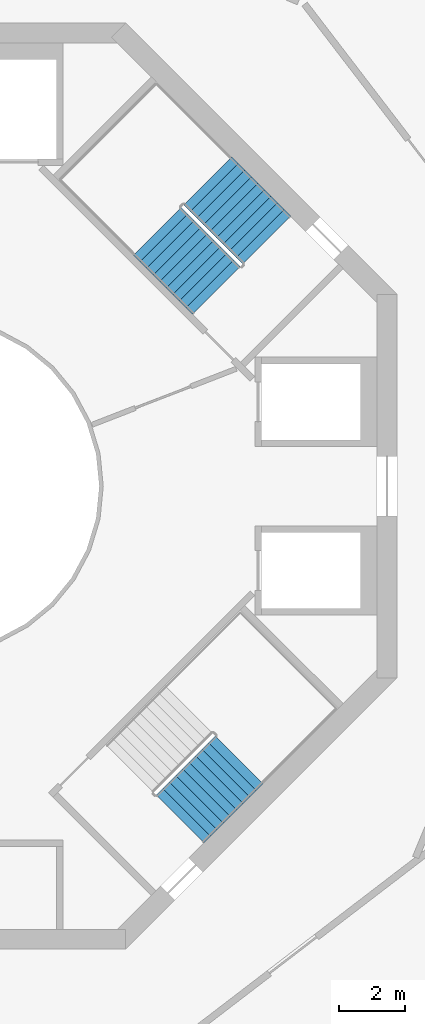
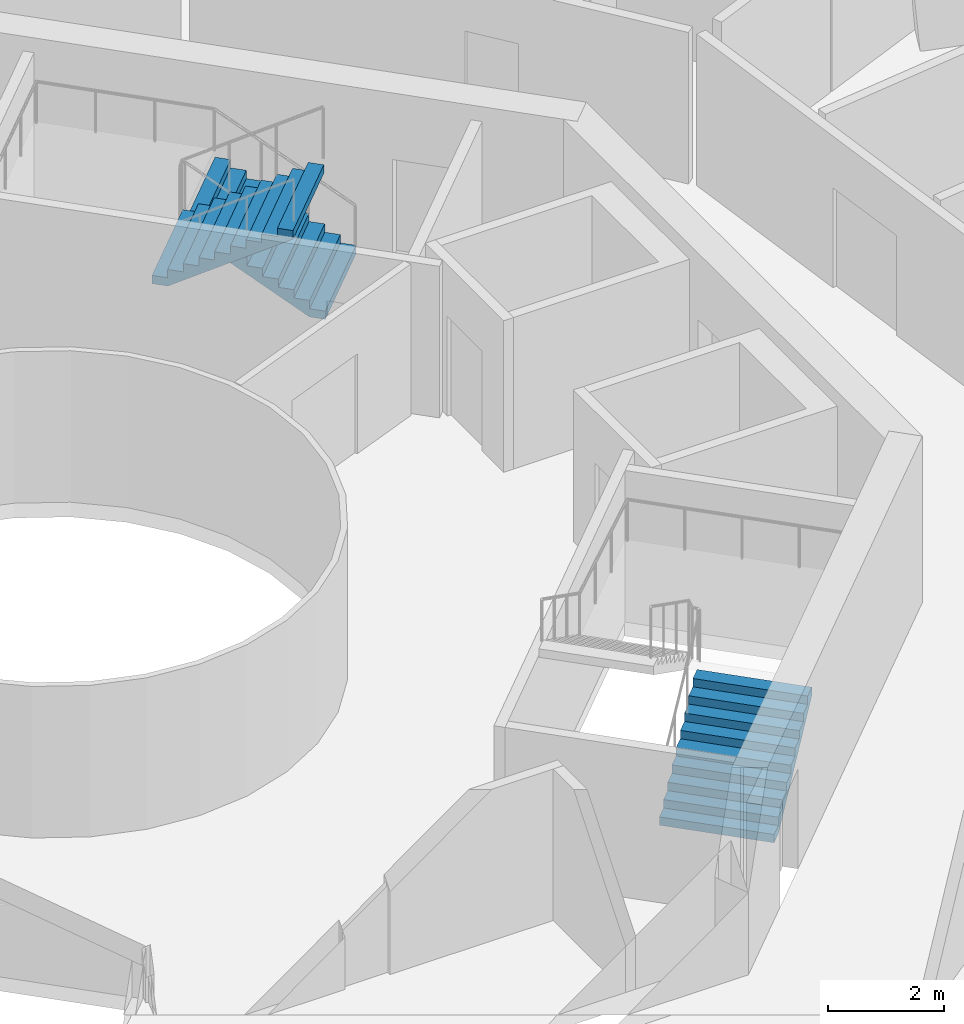
# One storey, part 24 of 25: 3 stair flights, 2 elements without a shape of their own.
"""IFC4 building model written with IfcOpenShell, lengths in metres."""

import ifcopenshell
import ifcopenshell.guid

model = None  # the IFC model being written
_history = None  # IfcOwnerHistory: only IFC2X3 demands one
_inside = {}  # id of a spatial element -> (the spatial element, [elements in it])
_under = {}  # id of a project, library or spatial element -> (it, [spatial elements below it])
_declared = {}  # id of a project -> (the project, [libraries it declares])
_typed = {}  # id of a type object -> (the type object, [elements of that type])
_made_of = {}  # id of a material, layer set ... -> (it, [elements and type objects made of it])


def new_model(schema):
    """Start an empty IFC model of exactly this schema.

    Asked for "IFC4X3", IfcOpenShell would pick the latest addendum, in which some entities
    have other attributes; the version numbers below select the first issue.
    IFC2X3 requires an IfcOwnerHistory on every rooted entity: one is made here for all.
    """
    global model, _history
    if schema == "IFC4X3":
        model = ifcopenshell.file(schema_version=(4, 3, 0, 0))
    else:
        model = ifcopenshell.file(schema=schema)
    _inside.clear()
    _under.clear()
    _declared.clear()
    _typed.clear()
    _made_of.clear()
    _history = None
    if model.schema == "IFC2X3":
        org = make("IfcOrganization", Name="unknown")
        user = make(
            "IfcPersonAndOrganization",
            ThePerson=make("IfcPerson", FamilyName="unknown"),
            TheOrganization=org,
        )
        app = make(
            "IfcApplication",
            ApplicationDeveloper=org,
            Version="unknown",
            ApplicationFullName="unknown",
            ApplicationIdentifier="unknown",
        )
        _history = make(
            "IfcOwnerHistory",
            OwningUser=user,
            OwningApplication=app,
            ChangeAction="ADDED",
            CreationDate=0,
        )
    return model


def make(cls, **values):
    """One entity of the class cls with the attributes given. An attribute that is None is left unset."""
    return model.create_entity(
        cls, **{name: value for name, value in values.items() if value is not None}
    )


def rooted(cls, **values):
    """An entity with a GlobalId (a new one), such as an element, a storey or a relation."""
    return make(cls, GlobalId=ifcopenshell.guid.new(), OwnerHistory=_history, **values)


def si_unit(unit_type, name, prefix=None):
    """IfcSIUnit, for example si_unit("LENGTHUNIT", "METRE", prefix="MILLI")."""
    return make("IfcSIUnit", UnitType=unit_type, Prefix=prefix, Name=name)


def assignment(units):
    """IfcUnitAssignment: the units of a project."""
    return None if units is None else make("IfcUnitAssignment", Units=units)


def point(xyz):
    """IfcCartesianPoint."""
    return None if xyz is None else make("IfcCartesianPoint", Coordinates=xyz)


def direction(xyz):
    """IfcDirection."""
    return None if xyz is None else make("IfcDirection", DirectionRatios=xyz)


def frame(location, z_axis=None, x_axis=None):
    """IfcAxis2Placement3D, a coordinate frame: its origin and axes. An axis left out is left unset."""
    return make(
        "IfcAxis2Placement3D",
        Location=point(location),
        Axis=direction(z_axis),
        RefDirection=direction(x_axis),
    )


def origin():
    """The frame at (0, 0, 0) with its axes left unset."""
    return frame((0.0, 0.0, 0.0))


def place(relative_to, where):
    """IfcLocalPlacement: puts the frame where relative to a parent placement (None: the world)."""
    return make(
        "IfcLocalPlacement", PlacementRelTo=relative_to, RelativePlacement=where
    )


def context(
    kind, dimensions, precision=None, world=None, true_north=None, identifier=None
):
    """IfcGeometricRepresentationContext, for example the 3D "Model" context."""
    return make(
        "IfcGeometricRepresentationContext",
        ContextIdentifier=identifier,
        ContextType=kind,
        CoordinateSpaceDimension=dimensions,
        Precision=precision,
        WorldCoordinateSystem=world,
        TrueNorth=true_north,
    )


def subcontext(parent, identifier, kind, view, scale=None):
    """IfcGeometricRepresentationSubContext, for example "Body" below "Model"."""
    return make(
        "IfcGeometricRepresentationSubContext",
        ContextIdentifier=identifier,
        ContextType=kind,
        ParentContext=parent,
        TargetScale=scale,
        TargetView=view,
    )


def project(units=None, contexts=None):
    """IfcProject with its units and contexts."""
    return rooted(
        "IfcProject",
        Name="project",
        RepresentationContexts=contexts,
        UnitsInContext=assignment(units),
    )


def spatial(cls, under=None, at=None, **own):
    """A site, building, storey or space (cls), placed at a placement, below another one or the project."""
    s = rooted(cls, ObjectPlacement=at, **own)
    if under is not None:
        _under.setdefault(under.id(), (under, []))[1].append(s)
    return s


def point_list(points):
    """IfcCartesianPointList2D or 3D."""
    cls = (
        "IfcCartesianPointList2D" if len(points[0]) == 2 else "IfcCartesianPointList3D"
    )
    return make(cls, CoordList=points)


def triangles(points, corners, closed=None, point_numbers=None):
    """IfcTriangulatedFaceSet: each triangle names its three corners, points numbered from 1."""
    return make(
        "IfcTriangulatedFaceSet",
        Coordinates=point_list(points),
        Closed=closed,
        CoordIndex=corners,
        PnIndex=point_numbers,
    )


def shape(context_of_items, identifier, shape_type, items):
    """IfcShapeRepresentation: the items that make up one representation, for example the "Body"."""
    return make(
        "IfcShapeRepresentation",
        ContextOfItems=context_of_items,
        RepresentationIdentifier=identifier,
        RepresentationType=shape_type,
        Items=items,
    )


def material(Name=None, Category=None):
    """IfcMaterial."""
    return make("IfcMaterial", Name=Name, Category=Category)


def made_of(thing, what):
    """Note that an element or type object is made of a material, layer set ...; save() writes the relation."""
    if what is not None:
        _made_of.setdefault(what.id(), (what, []))[1].append(thing)
    return thing


def type_object(cls, material=None, **own):
    """A type object (cls), such as IfcWallType, which elements share."""
    return made_of(rooted(cls, **own), material)


def element(
    cls,
    number,
    at=None,
    inside=None,
    cuts=None,
    type_object=None,
    material=None,
    context=None,
    identifier="Body",
    shape_type=None,
    held_by="IfcProductDefinitionShape",
    body=None,
    shapes=None,
    **own,
):
    """One element of the class cls, such as IfcWall. Its Tag is "e" and its number.

    at: its placement. inside: the storey or other place that contains it. cuts: it is an
    opening in that element (IfcRelVoidsElement). A single representation is given by context,
    identifier, shape_type and body (its items); several are given by shapes. held_by: the class
    of the entity that holds the representations. save() writes the other relations.
    """
    e = rooted(cls, Tag="e%d" % number, ObjectPlacement=at, **own)
    if body is not None:
        shapes = [shape(context, identifier, shape_type, body)]
    if shapes is not None:
        e.Representation = make(held_by, Representations=shapes)
    if inside is not None:
        _inside.setdefault(inside.id(), (inside, []))[1].append(e)
    if cuts is not None:
        rooted(
            "IfcRelVoidsElement", RelatingBuildingElement=cuts, RelatedOpeningElement=e
        )
    if type_object is not None:
        _typed.setdefault(type_object.id(), (type_object, []))[1].append(e)
    return made_of(e, material)


def aggregate(whole, parts):
    """IfcRelAggregates: a whole, such as a stair, and the parts it consists of."""
    return rooted("IfcRelAggregates", RelatingObject=whole, RelatedObjects=parts)


def save(model, path):
    """Write the relations noted so far, then the file.

    IfcRelAggregates (storeys below a building ...), IfcRelContainedInSpatialStructure (elements
    in a storey), IfcRelDefinesByType, IfcRelAssociatesMaterial and IfcRelDeclares: one each for
    every whole, place, type object, material and project.
    """
    for whole, parts in _under.values():
        aggregate(whole, parts)
    for where, things in _inside.values():
        rooted(
            "IfcRelContainedInSpatialStructure",
            RelatedElements=things,
            RelatingStructure=where,
        )
    for kind, things in _typed.values():
        rooted("IfcRelDefinesByType", RelatedObjects=things, RelatingType=kind)
    for what, things in _made_of.values():
        rooted("IfcRelAssociatesMaterial", RelatedObjects=things, RelatingMaterial=what)
    for by, libraries in _declared.values():
        rooted("IfcRelDeclares", RelatingContext=by, RelatedDefinitions=libraries)
    model.write(path)


model = new_model("IFC4")

# Units and contexts
model_context = context("Model", 3, precision=1e-05, world=origin(), true_north=direction((0.0, 1.0)))
body_context = subcontext(model_context, "Body", "Model", "MODEL_VIEW")
ifc_project = project(units=[si_unit("LENGTHUNIT", "METRE"), si_unit("AREAUNIT", "SQUARE_METRE"), si_unit("VOLUMEUNIT", "CUBIC_METRE"), si_unit("PLANEANGLEUNIT", "RADIAN"), si_unit("MASSUNIT", "GRAM", prefix="KILO")], contexts=[model_context])

# Site, building, storey
site_placement = place(None, origin())
site = spatial("IfcSite", under=ifc_project, at=site_placement, CompositionType="ELEMENT")
building_placement = place(site_placement, origin())
building = spatial("IfcBuilding", under=site, at=building_placement, Name="Verdalira Terraces Hotel", CompositionType="ELEMENT")
storey_placement = place(building_placement, frame((0.0, 0.0, 187.0)))
storey = spatial("IfcBuildingStorey", under=building, at=storey_placement, Name="L45", CompositionType="ELEMENT", Elevation=187.0)

# Stair, stair flights
ifc_material_1 = material(Name="Concrete C40", Category="concrete")
stair_type = type_object("IfcStairType", Name="Core stair 20 risers 2050 mm wide", PredefinedType="HALF_TURN_STAIR", material=ifc_material_1)
stair_1_placement = place(storey_placement, origin())
stair_1 = element("IfcStair", 1, at=stair_1_placement, inside=storey, type_object=stair_type, Name="L45 Exit stair ST1", PredefinedType="HALF_TURN_STAIR")
ifc_material_2 = material(Name="Concrete C40", Category="concrete")
stair_flight_type = type_object("IfcStairFlightType", Name="Core stair flight 20 risers 2050 mm wide", PredefinedType="STRAIGHT", material=ifc_material_2)
stair_flight_1_placement = place(storey_placement, frame((10.058594, 7.442383, 0.0), z_axis=(0.0, 0.0, 1.0), x_axis=(-0.707106781, 0.707106781, 0.0)))
stair_flight_1 = element("IfcStairFlight", 2, at=stair_flight_1_placement, type_object=stair_flight_type, Name="ST1 flight 1", NumberOfRisers=10, NumberOfTreads=9, PredefinedType="STRAIGHT", RiserHeight=0.175, TreadLength=0.28, context=body_context, shape_type="Tessellation", body=[
    triangles([(0.0, 1.025024, 0.0), (0.282715, 1.025024, 0.0), (2.52002, 1.025024, 1.398193), (0.0, -1.025024, 0.0), (0.282715, -1.025024, 0.0), (2.52002, -1.025024, 1.398193), (2.52002, 1.025024, 1.574951), (2.23999, 1.025024, 1.574951), (2.52002, -1.025024, 1.574951), (2.23999, -1.025024, 1.574951), (2.23999, 1.025024, 1.399902), (2.23999, -1.025024, 1.399902), (1.959961, 1.025024, 1.399902), (1.959961, -1.025024, 1.399902), (1.959961, 1.025024, 1.225098), (1.959961, -1.025024, 1.225098), (1.679932, 1.025024, 1.225098), (1.679932, 1.025024, 1.050049), (1.679932, -1.025024, 1.225098), (1.679932, -1.025024, 1.050049), (1.399902, 1.025024, 1.050049), (1.399902, 1.025024, 0.875), (1.399902, -1.025024, 1.050049), (1.399902, -1.025024, 0.875), (1.120117, 1.025024, 0.875), (1.120117, 1.025024, 0.699951), (1.120117, -1.025024, 0.875), (1.120117, -1.025024, 0.699951), (0.840088, 1.025024, 0.699951), (0.840088, 1.025024, 0.524902), (0.840088, -1.025024, 0.699951), (0.840088, -1.025024, 0.524902), (0.560059, 1.025024, 0.524902), (0.560059, 1.025024, 0.350098), (0.560059, -1.025024, 0.524902), (0.560059, -1.025024, 0.350098), (0.280029, 1.025024, 0.350098), (0.280029, 1.025024, 0.175049), (0.280029, -1.025024, 0.350098), (0.280029, -1.025024, 0.175049), (0.0, 1.025024, 0.175049), (0.0, -1.025024, 0.175049), (0.0, -0.96096, 0.0), (0.0, -0.96096, 0.175049), (0.0, -0.896896, 0.0), (0.0, -0.896896, 0.175049), (0.0, -0.832832, 0.0), (0.0, -0.832832, 0.175049), (0.0, -0.768768, 0.0), (0.0, -0.768768, 0.175049), (0.0, -0.704704, 0.0), (0.0, -0.704704, 0.175049), (0.0, -0.64064, 0.0), (0.0, -0.64064, 0.175049), (0.0, -0.576576, 0.0), (0.0, -0.576576, 0.175049), (0.0, -0.512512, 0.0), (0.0, -0.512512, 0.175049), (0.0, -0.448448, 0.0), (0.0, -0.448448, 0.175049), (0.0, -0.384384, 0.0), (0.0, -0.384384, 0.175049), (0.0, -0.32032, 0.0), (0.0, -0.32032, 0.175049), (0.0, -0.256256, 0.0), (0.0, -0.256256, 0.175049), (0.0, -0.192192, 0.0), (0.0, -0.192192, 0.175049), (0.0, -0.128128, 0.0), (0.0, -0.128128, 0.175049), (0.0, -0.064064, 0.0), (0.0, -0.064064, 0.175049), (0.0, 0.0, 0.0), (0.0, 0.0, 0.175049), (0.0, 0.064064, 0.0), (0.0, 0.064064, 0.175049), (0.0, 0.128128, 0.0), (0.0, 0.128128, 0.175049), (0.0, 0.192192, 0.0), (0.0, 0.192192, 0.175049), (0.0, 0.256256, 0.0), (0.0, 0.256256, 0.175049), (0.0, 0.32032, 0.0), (0.0, 0.32032, 0.175049), (0.0, 0.384384, 0.0), (0.0, 0.384384, 0.175049), (0.0, 0.448448, 0.0), (0.0, 0.448448, 0.175049), (0.0, 0.512512, 0.0), (0.0, 0.512512, 0.175049), (0.0, 0.576576, 0.0), (0.0, 0.576576, 0.175049), (0.0, 0.64064, 0.0), (0.0, 0.64064, 0.175049), (0.0, 0.704704, 0.0), (0.0, 0.704704, 0.175049), (0.0, 0.768768, 0.0), (0.0, 0.768768, 0.175049), (0.0, 0.832832, 0.0), (0.0, 0.832832, 0.175049), (0.0, 0.896896, 0.0), (0.0, 0.896896, 0.175049), (0.0, 0.96096, 0.0), (0.0, 0.96096, 0.175049), (2.52002, -0.96096, 1.574951), (2.52002, -0.896896, 1.574951), (2.52002, -0.832832, 1.574951), (2.52002, -0.768768, 1.574951), (2.52002, -0.704704, 1.574951), (2.52002, -0.64064, 1.574951), (2.52002, -0.576576, 1.574951), (2.52002, -0.512512, 1.574951), (2.52002, -0.448448, 1.574951), (2.52002, -0.384384, 1.574951), (2.52002, -0.32032, 1.574951), (2.52002, -0.256256, 1.574951), (2.52002, -0.192192, 1.574951), (2.52002, -0.128128, 1.574951), (2.52002, -0.064064, 1.574951), (2.52002, 0.0, 1.574951), (2.52002, 0.064064, 1.574951), (2.52002, 0.128128, 1.574951), (2.52002, 0.192192, 1.574951), (2.52002, 0.256256, 1.574951), (2.52002, 0.32032, 1.574951), (2.52002, 0.384384, 1.574951), (2.52002, 0.448448, 1.574951), (2.52002, 0.512512, 1.574951), (2.52002, 0.576576, 1.574951), (2.52002, 0.64064, 1.574951), (2.52002, 0.704704, 1.574951), (2.52002, 0.768768, 1.574951), (2.52002, 0.832832, 1.574951), (2.52002, 0.896896, 1.574951), (2.52002, 0.96096, 1.574951), (2.52002, -0.96096, 1.398193), (2.52002, -0.896896, 1.398193), (2.52002, -0.832832, 1.398193), (2.52002, -0.768768, 1.398193), (2.52002, -0.704704, 1.398193), (2.52002, -0.64064, 1.398193), (2.52002, -0.576576, 1.398193), (2.52002, -0.512512, 1.398193), (2.52002, -0.448448, 1.398193), (2.52002, -0.384384, 1.398193), (2.52002, -0.32032, 1.398193), (2.52002, -0.256256, 1.398193), (2.52002, -0.192192, 1.398193), (2.52002, -0.128128, 1.398193), (2.52002, -0.064064, 1.398193), (2.52002, 0.0, 1.398193), (2.52002, 0.064064, 1.398193), (2.52002, 0.128128, 1.398193), (2.52002, 0.192192, 1.398193), (2.52002, 0.256256, 1.398193), (2.52002, 0.32032, 1.398193), (2.52002, 0.384384, 1.398193), (2.52002, 0.448448, 1.398193), (2.52002, 0.512512, 1.398193), (2.52002, 0.576576, 1.398193), (2.52002, 0.64064, 1.398193), (2.52002, 0.704704, 1.398193), (2.52002, 0.768768, 1.398193), (2.52002, 0.832832, 1.398193), (2.52002, 0.896896, 1.398193), (2.52002, 0.96096, 1.398193)], [[1, 3, 2], [4, 5, 6], [3, 8, 7], [6, 9, 10], [3, 11, 8], [6, 10, 12], [3, 13, 11], [6, 12, 14], [3, 15, 13], [6, 14, 16], [15, 18, 17], [16, 19, 20], [3, 18, 15], [6, 16, 20], [18, 22, 21], [20, 23, 24], [3, 22, 18], [6, 20, 24], [22, 26, 25], [24, 27, 28], [3, 26, 22], [6, 24, 28], [26, 30, 29], [28, 31, 32], [3, 30, 26], [6, 28, 32], [1, 30, 3], [4, 6, 32], [30, 34, 33], [32, 35, 36], [34, 38, 37], [36, 39, 40], [30, 38, 34], [32, 36, 40], [1, 38, 30], [4, 32, 40], [38, 1, 41], [40, 42, 4], [4, 44, 43], [4, 42, 44], [43, 46, 45], [43, 44, 46], [45, 48, 47], [45, 46, 48], [47, 50, 49], [47, 48, 50], [49, 52, 51], [49, 50, 52], [51, 54, 53], [51, 52, 54], [53, 56, 55], [53, 54, 56], [55, 58, 57], [55, 56, 58], [57, 60, 59], [57, 58, 60], [59, 62, 61], [59, 60, 62], [61, 64, 63], [61, 62, 64], [63, 66, 65], [63, 64, 66], [65, 68, 67], [65, 66, 68], [67, 70, 69], [67, 68, 70], [69, 72, 71], [69, 70, 72], [71, 74, 73], [71, 72, 74], [73, 76, 75], [73, 74, 76], [75, 78, 77], [75, 76, 78], [77, 80, 79], [77, 78, 80], [79, 82, 81], [79, 80, 82], [81, 84, 83], [81, 82, 84], [83, 86, 85], [83, 84, 86], [85, 88, 87], [85, 86, 88], [87, 90, 89], [87, 88, 90], [89, 92, 91], [89, 90, 92], [91, 94, 93], [91, 92, 94], [93, 96, 95], [93, 94, 96], [95, 98, 97], [95, 96, 98], [97, 100, 99], [97, 98, 100], [99, 102, 101], [99, 100, 102], [101, 104, 103], [101, 102, 104], [103, 41, 1], [103, 104, 41], [42, 40, 44], [44, 40, 46], [46, 40, 48], [48, 40, 50], [50, 40, 52], [52, 40, 54], [54, 40, 56], [56, 40, 58], [58, 40, 60], [60, 40, 62], [62, 40, 64], [64, 40, 66], [66, 40, 68], [68, 40, 70], [70, 40, 72], [72, 40, 74], [74, 40, 76], [76, 40, 78], [78, 40, 80], [80, 40, 82], [82, 40, 84], [84, 40, 86], [86, 40, 88], [88, 40, 90], [90, 40, 92], [92, 40, 94], [94, 40, 96], [96, 40, 98], [98, 40, 100], [100, 40, 102], [102, 40, 104], [104, 40, 41], [41, 40, 38], [40, 37, 38], [40, 39, 37], [39, 34, 37], [39, 36, 34], [36, 33, 34], [36, 35, 33], [35, 30, 33], [35, 32, 30], [32, 29, 30], [32, 31, 29], [31, 26, 29], [31, 28, 26], [28, 25, 26], [28, 27, 25], [27, 22, 25], [27, 24, 22], [24, 21, 22], [24, 23, 21], [23, 18, 21], [23, 20, 18], [20, 17, 18], [20, 19, 17], [19, 15, 17], [19, 16, 15], [16, 13, 15], [16, 14, 13], [14, 11, 13], [14, 12, 11], [12, 8, 11], [12, 10, 8], [9, 105, 10], [105, 106, 10], [106, 107, 10], [107, 108, 10], [108, 109, 10], [109, 110, 10], [110, 111, 10], [111, 112, 10], [112, 113, 10], [113, 114, 10], [114, 115, 10], [115, 116, 10], [116, 117, 10], [117, 118, 10], [118, 119, 10], [119, 120, 10], [120, 121, 10], [121, 122, 10], [122, 123, 10], [123, 124, 10], [124, 125, 10], [125, 126, 10], [126, 127, 10], [127, 128, 10], [128, 129, 10], [129, 130, 10], [130, 131, 10], [131, 132, 10], [132, 133, 10], [133, 134, 10], [134, 135, 10], [135, 7, 10], [7, 8, 10], [9, 136, 105], [9, 6, 136], [105, 137, 106], [105, 136, 137], [106, 138, 107], [106, 137, 138], [107, 139, 108], [107, 138, 139], [108, 140, 109], [108, 139, 140], [109, 141, 110], [109, 140, 141], [110, 142, 111], [110, 141, 142], [111, 143, 112], [111, 142, 143], [112, 144, 113], [112, 143, 144], [113, 145, 114], [113, 144, 145], [114, 146, 115], [114, 145, 146], [115, 147, 116], [115, 146, 147], [116, 148, 117], [116, 147, 148], [117, 149, 118], [117, 148, 149], [118, 150, 119], [118, 149, 150], [119, 151, 120], [119, 150, 151], [120, 152, 121], [120, 151, 152], [121, 153, 122], [121, 152, 153], [122, 154, 123], [122, 153, 154], [123, 155, 124], [123, 154, 155], [124, 156, 125], [124, 155, 156], [125, 157, 126], [125, 156, 157], [126, 158, 127], [126, 157, 158], [127, 159, 128], [127, 158, 159], [128, 160, 129], [128, 159, 160], [129, 161, 130], [129, 160, 161], [130, 162, 131], [130, 161, 162], [131, 163, 132], [131, 162, 163], [132, 164, 133], [132, 163, 164], [133, 165, 134], [133, 164, 165], [134, 166, 135], [134, 165, 166], [135, 3, 7], [135, 166, 3], [6, 5, 136], [136, 5, 137], [137, 5, 138], [138, 5, 139], [139, 5, 140], [140, 5, 141], [141, 5, 142], [142, 5, 143], [143, 5, 144], [144, 5, 145], [145, 5, 146], [146, 5, 147], [147, 5, 148], [148, 5, 149], [149, 5, 150], [150, 5, 151], [151, 5, 152], [152, 5, 153], [153, 5, 154], [154, 5, 155], [155, 5, 156], [156, 5, 157], [157, 5, 158], [158, 5, 159], [159, 5, 160], [160, 5, 161], [161, 5, 162], [162, 5, 163], [163, 5, 164], [164, 5, 165], [165, 5, 166], [166, 5, 3], [3, 5, 2], [4, 43, 5], [43, 45, 5], [45, 47, 5], [47, 49, 5], [49, 51, 5], [51, 53, 5], [53, 55, 5], [55, 57, 5], [57, 59, 5], [59, 61, 5], [61, 63, 5], [63, 65, 5], [65, 67, 5], [67, 69, 5], [69, 71, 5], [71, 73, 5], [73, 75, 5], [75, 77, 5], [77, 79, 5], [79, 81, 5], [81, 83, 5], [83, 85, 5], [85, 87, 5], [87, 89, 5], [89, 91, 5], [91, 93, 5], [93, 95, 5], [95, 97, 5], [97, 99, 5], [99, 101, 5], [101, 103, 5], [103, 1, 5], [1, 2, 5]], closed=True),
])
stair_flight_2_placement = place(storey_placement, frame((6.756348, 7.703857, 1.75), z_axis=(0.0, 0.0, 1.0), x_axis=(0.707106781, -0.707106781, 0.0)))
stair_flight_2 = element("IfcStairFlight", 3, at=stair_flight_2_placement, type_object=stair_flight_type, Name="ST1 flight 2", NumberOfRisers=10, NumberOfTreads=9, PredefinedType="STRAIGHT", RiserHeight=0.175, TreadLength=0.28, context=body_context, shape_type="Tessellation", body=[
    triangles([(0.0, 1.025024, 0.0), (0.282715, 1.025024, 0.0), (2.52002, 1.025024, 1.398193), (0.0, -1.025024, 0.0), (0.282715, -1.025024, 0.0), (2.52002, -1.025024, 1.398193), (2.52002, 1.025024, 1.574951), (2.23999, 1.025024, 1.574951), (2.52002, -1.025024, 1.574951), (2.23999, -1.025024, 1.574951), (2.23999, 1.025024, 1.399902), (2.23999, -1.025024, 1.399902), (1.959961, 1.025024, 1.399902), (1.959961, -1.025024, 1.399902), (1.959961, 1.025024, 1.225098), (1.959961, -1.025024, 1.225098), (1.679932, 1.025024, 1.225098), (1.679932, 1.025024, 1.050049), (1.679932, -1.025024, 1.225098), (1.679932, -1.025024, 1.050049), (1.399902, 1.025024, 1.050049), (1.399902, 1.025024, 0.875), (1.399902, -1.025024, 1.050049), (1.399902, -1.025024, 0.875), (1.120117, 1.025024, 0.875), (1.120117, 1.025024, 0.699951), (1.120117, -1.025024, 0.875), (1.120117, -1.025024, 0.699951), (0.840088, 1.025024, 0.699951), (0.840088, 1.025024, 0.524902), (0.840088, -1.025024, 0.699951), (0.840088, -1.025024, 0.524902), (0.560059, 1.025024, 0.524902), (0.560059, 1.025024, 0.350098), (0.560059, -1.025024, 0.524902), (0.560059, -1.025024, 0.350098), (0.280029, 1.025024, 0.350098), (0.280029, 1.025024, 0.175049), (0.280029, -1.025024, 0.350098), (0.280029, -1.025024, 0.175049), (0.0, 1.025024, 0.175049), (0.0, -1.025024, 0.175049), (0.0, -0.96096, 0.0), (0.0, -0.96096, 0.175049), (0.0, -0.896896, 0.0), (0.0, -0.896896, 0.175049), (0.0, -0.832832, 0.0), (0.0, -0.832832, 0.175049), (0.0, -0.768768, 0.0), (0.0, -0.768768, 0.175049), (0.0, -0.704704, 0.0), (0.0, -0.704704, 0.175049), (0.0, -0.64064, 0.0), (0.0, -0.64064, 0.175049), (0.0, -0.576576, 0.0), (0.0, -0.576576, 0.175049), (0.0, -0.512512, 0.0), (0.0, -0.512512, 0.175049), (0.0, -0.448448, 0.0), (0.0, -0.448448, 0.175049), (0.0, -0.384384, 0.0), (0.0, -0.384384, 0.175049), (0.0, -0.32032, 0.0), (0.0, -0.32032, 0.175049), (0.0, -0.256256, 0.0), (0.0, -0.256256, 0.175049), (0.0, -0.192192, 0.0), (0.0, -0.192192, 0.175049), (0.0, -0.128128, 0.0), (0.0, -0.128128, 0.175049), (0.0, -0.064064, 0.0), (0.0, -0.064064, 0.175049), (0.0, 0.0, 0.0), (0.0, 0.0, 0.175049), (0.0, 0.064064, 0.0), (0.0, 0.064064, 0.175049), (0.0, 0.128128, 0.0), (0.0, 0.128128, 0.175049), (0.0, 0.192192, 0.0), (0.0, 0.192192, 0.175049), (0.0, 0.256256, 0.0), (0.0, 0.256256, 0.175049), (0.0, 0.32032, 0.0), (0.0, 0.32032, 0.175049), (0.0, 0.384384, 0.0), (0.0, 0.384384, 0.175049), (0.0, 0.448448, 0.0), (0.0, 0.448448, 0.175049), (0.0, 0.512512, 0.0), (0.0, 0.512512, 0.175049), (0.0, 0.576576, 0.0), (0.0, 0.576576, 0.175049), (0.0, 0.64064, 0.0), (0.0, 0.64064, 0.175049), (0.0, 0.704704, 0.0), (0.0, 0.704704, 0.175049), (0.0, 0.768768, 0.0), (0.0, 0.768768, 0.175049), (0.0, 0.832832, 0.0), (0.0, 0.832832, 0.175049), (0.0, 0.896896, 0.0), (0.0, 0.896896, 0.175049), (0.0, 0.96096, 0.0), (0.0, 0.96096, 0.175049), (2.52002, -0.96096, 1.574951), (2.52002, -0.896896, 1.574951), (2.52002, -0.832832, 1.574951), (2.52002, -0.768768, 1.574951), (2.52002, -0.704704, 1.574951), (2.52002, -0.64064, 1.574951), (2.52002, -0.576576, 1.574951), (2.52002, -0.512512, 1.574951), (2.52002, -0.448448, 1.574951), (2.52002, -0.384384, 1.574951), (2.52002, -0.32032, 1.574951), (2.52002, -0.256256, 1.574951), (2.52002, -0.192192, 1.574951), (2.52002, -0.128128, 1.574951), (2.52002, -0.064064, 1.574951), (2.52002, 0.0, 1.574951), (2.52002, 0.064064, 1.574951), (2.52002, 0.128128, 1.574951), (2.52002, 0.192192, 1.574951), (2.52002, 0.256256, 1.574951), (2.52002, 0.32032, 1.574951), (2.52002, 0.384384, 1.574951), (2.52002, 0.448448, 1.574951), (2.52002, 0.512512, 1.574951), (2.52002, 0.576576, 1.574951), (2.52002, 0.64064, 1.574951), (2.52002, 0.704704, 1.574951), (2.52002, 0.768768, 1.574951), (2.52002, 0.832832, 1.574951), (2.52002, 0.896896, 1.574951), (2.52002, 0.96096, 1.574951), (2.52002, -0.96096, 1.398193), (2.52002, -0.896896, 1.398193), (2.52002, -0.832832, 1.398193), (2.52002, -0.768768, 1.398193), (2.52002, -0.704704, 1.398193), (2.52002, -0.64064, 1.398193), (2.52002, -0.576576, 1.398193), (2.52002, -0.512512, 1.398193), (2.52002, -0.448448, 1.398193), (2.52002, -0.384384, 1.398193), (2.52002, -0.32032, 1.398193), (2.52002, -0.256256, 1.398193), (2.52002, -0.192192, 1.398193), (2.52002, -0.128128, 1.398193), (2.52002, -0.064064, 1.398193), (2.52002, 0.0, 1.398193), (2.52002, 0.064064, 1.398193), (2.52002, 0.128128, 1.398193), (2.52002, 0.192192, 1.398193), (2.52002, 0.256256, 1.398193), (2.52002, 0.32032, 1.398193), (2.52002, 0.384384, 1.398193), (2.52002, 0.448448, 1.398193), (2.52002, 0.512512, 1.398193), (2.52002, 0.576576, 1.398193), (2.52002, 0.64064, 1.398193), (2.52002, 0.704704, 1.398193), (2.52002, 0.768768, 1.398193), (2.52002, 0.832832, 1.398193), (2.52002, 0.896896, 1.398193), (2.52002, 0.96096, 1.398193)], [[1, 3, 2], [4, 5, 6], [3, 8, 7], [6, 9, 10], [3, 11, 8], [6, 10, 12], [3, 13, 11], [6, 12, 14], [3, 15, 13], [6, 14, 16], [15, 18, 17], [16, 19, 20], [3, 18, 15], [6, 16, 20], [18, 22, 21], [20, 23, 24], [3, 22, 18], [6, 20, 24], [22, 26, 25], [24, 27, 28], [3, 26, 22], [6, 24, 28], [26, 30, 29], [28, 31, 32], [3, 30, 26], [6, 28, 32], [1, 30, 3], [4, 6, 32], [30, 34, 33], [32, 35, 36], [34, 38, 37], [36, 39, 40], [30, 38, 34], [32, 36, 40], [1, 38, 30], [4, 32, 40], [38, 1, 41], [40, 42, 4], [4, 44, 43], [4, 42, 44], [43, 46, 45], [43, 44, 46], [45, 48, 47], [45, 46, 48], [47, 50, 49], [47, 48, 50], [49, 52, 51], [49, 50, 52], [51, 54, 53], [51, 52, 54], [53, 56, 55], [53, 54, 56], [55, 58, 57], [55, 56, 58], [57, 60, 59], [57, 58, 60], [59, 62, 61], [59, 60, 62], [61, 64, 63], [61, 62, 64], [63, 66, 65], [63, 64, 66], [65, 68, 67], [65, 66, 68], [67, 70, 69], [67, 68, 70], [69, 72, 71], [69, 70, 72], [71, 74, 73], [71, 72, 74], [73, 76, 75], [73, 74, 76], [75, 78, 77], [75, 76, 78], [77, 80, 79], [77, 78, 80], [79, 82, 81], [79, 80, 82], [81, 84, 83], [81, 82, 84], [83, 86, 85], [83, 84, 86], [85, 88, 87], [85, 86, 88], [87, 90, 89], [87, 88, 90], [89, 92, 91], [89, 90, 92], [91, 94, 93], [91, 92, 94], [93, 96, 95], [93, 94, 96], [95, 98, 97], [95, 96, 98], [97, 100, 99], [97, 98, 100], [99, 102, 101], [99, 100, 102], [101, 104, 103], [101, 102, 104], [103, 41, 1], [103, 104, 41], [42, 40, 44], [44, 40, 46], [46, 40, 48], [48, 40, 50], [50, 40, 52], [52, 40, 54], [54, 40, 56], [56, 40, 58], [58, 40, 60], [60, 40, 62], [62, 40, 64], [64, 40, 66], [66, 40, 68], [68, 40, 70], [70, 40, 72], [72, 40, 74], [74, 40, 76], [76, 40, 78], [78, 40, 80], [80, 40, 82], [82, 40, 84], [84, 40, 86], [86, 40, 88], [88, 40, 90], [90, 40, 92], [92, 40, 94], [94, 40, 96], [96, 40, 98], [98, 40, 100], [100, 40, 102], [102, 40, 104], [104, 40, 41], [41, 40, 38], [40, 37, 38], [40, 39, 37], [39, 34, 37], [39, 36, 34], [36, 33, 34], [36, 35, 33], [35, 30, 33], [35, 32, 30], [32, 29, 30], [32, 31, 29], [31, 26, 29], [31, 28, 26], [28, 25, 26], [28, 27, 25], [27, 22, 25], [27, 24, 22], [24, 21, 22], [24, 23, 21], [23, 18, 21], [23, 20, 18], [20, 17, 18], [20, 19, 17], [19, 15, 17], [19, 16, 15], [16, 13, 15], [16, 14, 13], [14, 11, 13], [14, 12, 11], [12, 8, 11], [12, 10, 8], [9, 105, 10], [105, 106, 10], [106, 107, 10], [107, 108, 10], [108, 109, 10], [109, 110, 10], [110, 111, 10], [111, 112, 10], [112, 113, 10], [113, 114, 10], [114, 115, 10], [115, 116, 10], [116, 117, 10], [117, 118, 10], [118, 119, 10], [119, 120, 10], [120, 121, 10], [121, 122, 10], [122, 123, 10], [123, 124, 10], [124, 125, 10], [125, 126, 10], [126, 127, 10], [127, 128, 10], [128, 129, 10], [129, 130, 10], [130, 131, 10], [131, 132, 10], [132, 133, 10], [133, 134, 10], [134, 135, 10], [135, 7, 10], [7, 8, 10], [9, 136, 105], [9, 6, 136], [105, 137, 106], [105, 136, 137], [106, 138, 107], [106, 137, 138], [107, 139, 108], [107, 138, 139], [108, 140, 109], [108, 139, 140], [109, 141, 110], [109, 140, 141], [110, 142, 111], [110, 141, 142], [111, 143, 112], [111, 142, 143], [112, 144, 113], [112, 143, 144], [113, 145, 114], [113, 144, 145], [114, 146, 115], [114, 145, 146], [115, 147, 116], [115, 146, 147], [116, 148, 117], [116, 147, 148], [117, 149, 118], [117, 148, 149], [118, 150, 119], [118, 149, 150], [119, 151, 120], [119, 150, 151], [120, 152, 121], [120, 151, 152], [121, 153, 122], [121, 152, 153], [122, 154, 123], [122, 153, 154], [123, 155, 124], [123, 154, 155], [124, 156, 125], [124, 155, 156], [125, 157, 126], [125, 156, 157], [126, 158, 127], [126, 157, 158], [127, 159, 128], [127, 158, 159], [128, 160, 129], [128, 159, 160], [129, 161, 130], [129, 160, 161], [130, 162, 131], [130, 161, 162], [131, 163, 132], [131, 162, 163], [132, 164, 133], [132, 163, 164], [133, 165, 134], [133, 164, 165], [134, 166, 135], [134, 165, 166], [135, 3, 7], [135, 166, 3], [6, 5, 136], [136, 5, 137], [137, 5, 138], [138, 5, 139], [139, 5, 140], [140, 5, 141], [141, 5, 142], [142, 5, 143], [143, 5, 144], [144, 5, 145], [145, 5, 146], [146, 5, 147], [147, 5, 148], [148, 5, 149], [149, 5, 150], [150, 5, 151], [151, 5, 152], [152, 5, 153], [153, 5, 154], [154, 5, 155], [155, 5, 156], [156, 5, 157], [157, 5, 158], [158, 5, 159], [159, 5, 160], [160, 5, 161], [161, 5, 162], [162, 5, 163], [163, 5, 164], [164, 5, 165], [165, 5, 166], [166, 5, 3], [3, 5, 2], [4, 43, 5], [43, 45, 5], [45, 47, 5], [47, 49, 5], [49, 51, 5], [51, 53, 5], [53, 55, 5], [55, 57, 5], [57, 59, 5], [59, 61, 5], [61, 63, 5], [63, 65, 5], [65, 67, 5], [67, 69, 5], [69, 71, 5], [71, 73, 5], [73, 75, 5], [75, 77, 5], [77, 79, 5], [79, 81, 5], [81, 83, 5], [83, 85, 5], [85, 87, 5], [87, 89, 5], [89, 91, 5], [91, 93, 5], [93, 95, 5], [95, 97, 5], [97, 99, 5], [99, 101, 5], [101, 103, 5], [103, 1, 5], [1, 2, 5]], closed=True),
])
aggregate(stair_1, [stair_flight_1, stair_flight_2])

# Stair, stair flight
stair_2_placement = place(storey_placement, origin())
stair_2 = element("IfcStair", 4, at=stair_2_placement, inside=storey, type_object=stair_type, Name="L45 Exit stair ST3", PredefinedType="HALF_TURN_STAIR")
stair_flight_3_placement = place(storey_placement, frame((7.442383, -10.058594, 0.0), z_axis=(0.0, 0.0, 1.0), x_axis=(0.707106781, 0.707106781, 0.0)))
stair_flight_3 = element("IfcStairFlight", 5, at=stair_flight_3_placement, type_object=stair_flight_type, Name="ST3 flight 1", NumberOfRisers=10, NumberOfTreads=9, PredefinedType="STRAIGHT", RiserHeight=0.175, TreadLength=0.28, context=body_context, shape_type="Tessellation", body=[
    triangles([(0.0, 1.025024, 0.0), (0.282715, 1.025024, 0.0), (2.52002, 1.025024, 1.398193), (0.0, -1.025024, 0.0), (0.282715, -1.025024, 0.0), (2.52002, -1.025024, 1.398193), (2.52002, 1.025024, 1.574951), (2.23999, 1.025024, 1.574951), (2.52002, -1.025024, 1.574951), (2.23999, -1.025024, 1.574951), (2.23999, 1.025024, 1.399902), (2.23999, -1.025024, 1.399902), (1.959961, 1.025024, 1.399902), (1.959961, -1.025024, 1.399902), (1.959961, 1.025024, 1.225098), (1.959961, -1.025024, 1.225098), (1.679932, 1.025024, 1.225098), (1.679932, 1.025024, 1.050049), (1.679932, -1.025024, 1.225098), (1.679932, -1.025024, 1.050049), (1.399902, 1.025024, 1.050049), (1.399902, 1.025024, 0.875), (1.399902, -1.025024, 1.050049), (1.399902, -1.025024, 0.875), (1.120117, 1.025024, 0.875), (1.120117, 1.025024, 0.699951), (1.120117, -1.025024, 0.875), (1.120117, -1.025024, 0.699951), (0.840088, 1.025024, 0.699951), (0.840088, 1.025024, 0.524902), (0.840088, -1.025024, 0.699951), (0.840088, -1.025024, 0.524902), (0.560059, 1.025024, 0.524902), (0.560059, 1.025024, 0.350098), (0.560059, -1.025024, 0.524902), (0.560059, -1.025024, 0.350098), (0.280029, 1.025024, 0.350098), (0.280029, 1.025024, 0.175049), (0.280029, -1.025024, 0.350098), (0.280029, -1.025024, 0.175049), (0.0, 1.025024, 0.175049), (0.0, -1.025024, 0.175049), (0.0, -0.96096, 0.0), (0.0, -0.96096, 0.175049), (0.0, -0.896896, 0.0), (0.0, -0.896896, 0.175049), (0.0, -0.832832, 0.0), (0.0, -0.832832, 0.175049), (0.0, -0.768768, 0.0), (0.0, -0.768768, 0.175049), (0.0, -0.704704, 0.0), (0.0, -0.704704, 0.175049), (0.0, -0.64064, 0.0), (0.0, -0.64064, 0.175049), (0.0, -0.576576, 0.0), (0.0, -0.576576, 0.175049), (0.0, -0.512512, 0.0), (0.0, -0.512512, 0.175049), (0.0, -0.448448, 0.0), (0.0, -0.448448, 0.175049), (0.0, -0.384384, 0.0), (0.0, -0.384384, 0.175049), (0.0, -0.32032, 0.0), (0.0, -0.32032, 0.175049), (0.0, -0.256256, 0.0), (0.0, -0.256256, 0.175049), (0.0, -0.192192, 0.0), (0.0, -0.192192, 0.175049), (0.0, -0.128128, 0.0), (0.0, -0.128128, 0.175049), (0.0, -0.064064, 0.0), (0.0, -0.064064, 0.175049), (0.0, 0.0, 0.0), (0.0, 0.0, 0.175049), (0.0, 0.064064, 0.0), (0.0, 0.064064, 0.175049), (0.0, 0.128128, 0.0), (0.0, 0.128128, 0.175049), (0.0, 0.192192, 0.0), (0.0, 0.192192, 0.175049), (0.0, 0.256256, 0.0), (0.0, 0.256256, 0.175049), (0.0, 0.32032, 0.0), (0.0, 0.32032, 0.175049), (0.0, 0.384384, 0.0), (0.0, 0.384384, 0.175049), (0.0, 0.448448, 0.0), (0.0, 0.448448, 0.175049), (0.0, 0.512512, 0.0), (0.0, 0.512512, 0.175049), (0.0, 0.576576, 0.0), (0.0, 0.576576, 0.175049), (0.0, 0.64064, 0.0), (0.0, 0.64064, 0.175049), (0.0, 0.704704, 0.0), (0.0, 0.704704, 0.175049), (0.0, 0.768768, 0.0), (0.0, 0.768768, 0.175049), (0.0, 0.832832, 0.0), (0.0, 0.832832, 0.175049), (0.0, 0.896896, 0.0), (0.0, 0.896896, 0.175049), (0.0, 0.96096, 0.0), (0.0, 0.96096, 0.175049), (2.52002, -0.96096, 1.574951), (2.52002, -0.896896, 1.574951), (2.52002, -0.832832, 1.574951), (2.52002, -0.768768, 1.574951), (2.52002, -0.704704, 1.574951), (2.52002, -0.64064, 1.574951), (2.52002, -0.576576, 1.574951), (2.52002, -0.512512, 1.574951), (2.52002, -0.448448, 1.574951), (2.52002, -0.384384, 1.574951), (2.52002, -0.32032, 1.574951), (2.52002, -0.256256, 1.574951), (2.52002, -0.192192, 1.574951), (2.52002, -0.128128, 1.574951), (2.52002, -0.064064, 1.574951), (2.52002, 0.0, 1.574951), (2.52002, 0.064064, 1.574951), (2.52002, 0.128128, 1.574951), (2.52002, 0.192192, 1.574951), (2.52002, 0.256256, 1.574951), (2.52002, 0.32032, 1.574951), (2.52002, 0.384384, 1.574951), (2.52002, 0.448448, 1.574951), (2.52002, 0.512512, 1.574951), (2.52002, 0.576576, 1.574951), (2.52002, 0.64064, 1.574951), (2.52002, 0.704704, 1.574951), (2.52002, 0.768768, 1.574951), (2.52002, 0.832832, 1.574951), (2.52002, 0.896896, 1.574951), (2.52002, 0.96096, 1.574951), (2.52002, -0.96096, 1.398193), (2.52002, -0.896896, 1.398193), (2.52002, -0.832832, 1.398193), (2.52002, -0.768768, 1.398193), (2.52002, -0.704704, 1.398193), (2.52002, -0.64064, 1.398193), (2.52002, -0.576576, 1.398193), (2.52002, -0.512512, 1.398193), (2.52002, -0.448448, 1.398193), (2.52002, -0.384384, 1.398193), (2.52002, -0.32032, 1.398193), (2.52002, -0.256256, 1.398193), (2.52002, -0.192192, 1.398193), (2.52002, -0.128128, 1.398193), (2.52002, -0.064064, 1.398193), (2.52002, 0.0, 1.398193), (2.52002, 0.064064, 1.398193), (2.52002, 0.128128, 1.398193), (2.52002, 0.192192, 1.398193), (2.52002, 0.256256, 1.398193), (2.52002, 0.32032, 1.398193), (2.52002, 0.384384, 1.398193), (2.52002, 0.448448, 1.398193), (2.52002, 0.512512, 1.398193), (2.52002, 0.576576, 1.398193), (2.52002, 0.64064, 1.398193), (2.52002, 0.704704, 1.398193), (2.52002, 0.768768, 1.398193), (2.52002, 0.832832, 1.398193), (2.52002, 0.896896, 1.398193), (2.52002, 0.96096, 1.398193)], [[1, 3, 2], [4, 5, 6], [3, 8, 7], [6, 9, 10], [3, 11, 8], [6, 10, 12], [3, 13, 11], [6, 12, 14], [3, 15, 13], [6, 14, 16], [15, 18, 17], [16, 19, 20], [3, 18, 15], [6, 16, 20], [18, 22, 21], [20, 23, 24], [3, 22, 18], [6, 20, 24], [22, 26, 25], [24, 27, 28], [3, 26, 22], [6, 24, 28], [26, 30, 29], [28, 31, 32], [3, 30, 26], [6, 28, 32], [1, 30, 3], [4, 6, 32], [30, 34, 33], [32, 35, 36], [34, 38, 37], [36, 39, 40], [30, 38, 34], [32, 36, 40], [1, 38, 30], [4, 32, 40], [38, 1, 41], [40, 42, 4], [4, 44, 43], [4, 42, 44], [43, 46, 45], [43, 44, 46], [45, 48, 47], [45, 46, 48], [47, 50, 49], [47, 48, 50], [49, 52, 51], [49, 50, 52], [51, 54, 53], [51, 52, 54], [53, 56, 55], [53, 54, 56], [55, 58, 57], [55, 56, 58], [57, 60, 59], [57, 58, 60], [59, 62, 61], [59, 60, 62], [61, 64, 63], [61, 62, 64], [63, 66, 65], [63, 64, 66], [65, 68, 67], [65, 66, 68], [67, 70, 69], [67, 68, 70], [69, 72, 71], [69, 70, 72], [71, 74, 73], [71, 72, 74], [73, 76, 75], [73, 74, 76], [75, 78, 77], [75, 76, 78], [77, 80, 79], [77, 78, 80], [79, 82, 81], [79, 80, 82], [81, 84, 83], [81, 82, 84], [83, 86, 85], [83, 84, 86], [85, 88, 87], [85, 86, 88], [87, 90, 89], [87, 88, 90], [89, 92, 91], [89, 90, 92], [91, 94, 93], [91, 92, 94], [93, 96, 95], [93, 94, 96], [95, 98, 97], [95, 96, 98], [97, 100, 99], [97, 98, 100], [99, 102, 101], [99, 100, 102], [101, 104, 103], [101, 102, 104], [103, 41, 1], [103, 104, 41], [42, 40, 44], [44, 40, 46], [46, 40, 48], [48, 40, 50], [50, 40, 52], [52, 40, 54], [54, 40, 56], [56, 40, 58], [58, 40, 60], [60, 40, 62], [62, 40, 64], [64, 40, 66], [66, 40, 68], [68, 40, 70], [70, 40, 72], [72, 40, 74], [74, 40, 76], [76, 40, 78], [78, 40, 80], [80, 40, 82], [82, 40, 84], [84, 40, 86], [86, 40, 88], [88, 40, 90], [90, 40, 92], [92, 40, 94], [94, 40, 96], [96, 40, 98], [98, 40, 100], [100, 40, 102], [102, 40, 104], [104, 40, 41], [41, 40, 38], [40, 37, 38], [40, 39, 37], [39, 34, 37], [39, 36, 34], [36, 33, 34], [36, 35, 33], [35, 30, 33], [35, 32, 30], [32, 29, 30], [32, 31, 29], [31, 26, 29], [31, 28, 26], [28, 25, 26], [28, 27, 25], [27, 22, 25], [27, 24, 22], [24, 21, 22], [24, 23, 21], [23, 18, 21], [23, 20, 18], [20, 17, 18], [20, 19, 17], [19, 15, 17], [19, 16, 15], [16, 13, 15], [16, 14, 13], [14, 11, 13], [14, 12, 11], [12, 8, 11], [12, 10, 8], [9, 105, 10], [105, 106, 10], [106, 107, 10], [107, 108, 10], [108, 109, 10], [109, 110, 10], [110, 111, 10], [111, 112, 10], [112, 113, 10], [113, 114, 10], [114, 115, 10], [115, 116, 10], [116, 117, 10], [117, 118, 10], [118, 119, 10], [119, 120, 10], [120, 121, 10], [121, 122, 10], [122, 123, 10], [123, 124, 10], [124, 125, 10], [125, 126, 10], [126, 127, 10], [127, 128, 10], [128, 129, 10], [129, 130, 10], [130, 131, 10], [131, 132, 10], [132, 133, 10], [133, 134, 10], [134, 135, 10], [135, 7, 10], [7, 8, 10], [9, 136, 105], [9, 6, 136], [105, 137, 106], [105, 136, 137], [106, 138, 107], [106, 137, 138], [107, 139, 108], [107, 138, 139], [108, 140, 109], [108, 139, 140], [109, 141, 110], [109, 140, 141], [110, 142, 111], [110, 141, 142], [111, 143, 112], [111, 142, 143], [112, 144, 113], [112, 143, 144], [113, 145, 114], [113, 144, 145], [114, 146, 115], [114, 145, 146], [115, 147, 116], [115, 146, 147], [116, 148, 117], [116, 147, 148], [117, 149, 118], [117, 148, 149], [118, 150, 119], [118, 149, 150], [119, 151, 120], [119, 150, 151], [120, 152, 121], [120, 151, 152], [121, 153, 122], [121, 152, 153], [122, 154, 123], [122, 153, 154], [123, 155, 124], [123, 154, 155], [124, 156, 125], [124, 155, 156], [125, 157, 126], [125, 156, 157], [126, 158, 127], [126, 157, 158], [127, 159, 128], [127, 158, 159], [128, 160, 129], [128, 159, 160], [129, 161, 130], [129, 160, 161], [130, 162, 131], [130, 161, 162], [131, 163, 132], [131, 162, 163], [132, 164, 133], [132, 163, 164], [133, 165, 134], [133, 164, 165], [134, 166, 135], [134, 165, 166], [135, 3, 7], [135, 166, 3], [6, 5, 136], [136, 5, 137], [137, 5, 138], [138, 5, 139], [139, 5, 140], [140, 5, 141], [141, 5, 142], [142, 5, 143], [143, 5, 144], [144, 5, 145], [145, 5, 146], [146, 5, 147], [147, 5, 148], [148, 5, 149], [149, 5, 150], [150, 5, 151], [151, 5, 152], [152, 5, 153], [153, 5, 154], [154, 5, 155], [155, 5, 156], [156, 5, 157], [157, 5, 158], [158, 5, 159], [159, 5, 160], [160, 5, 161], [161, 5, 162], [162, 5, 163], [163, 5, 164], [164, 5, 165], [165, 5, 166], [166, 5, 3], [3, 5, 2], [4, 43, 5], [43, 45, 5], [45, 47, 5], [47, 49, 5], [49, 51, 5], [51, 53, 5], [53, 55, 5], [55, 57, 5], [57, 59, 5], [59, 61, 5], [61, 63, 5], [63, 65, 5], [65, 67, 5], [67, 69, 5], [69, 71, 5], [71, 73, 5], [73, 75, 5], [75, 77, 5], [77, 79, 5], [79, 81, 5], [81, 83, 5], [83, 85, 5], [85, 87, 5], [87, 89, 5], [89, 91, 5], [91, 93, 5], [93, 95, 5], [95, 97, 5], [97, 99, 5], [99, 101, 5], [101, 103, 5], [103, 1, 5], [1, 2, 5]], closed=True),
])
aggregate(stair_2, [stair_flight_3])

save(model, "model.ifc")
